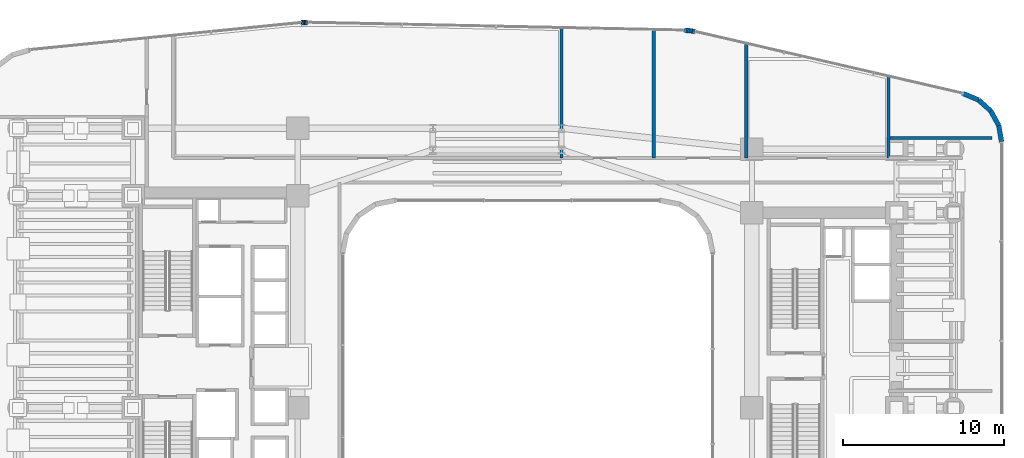
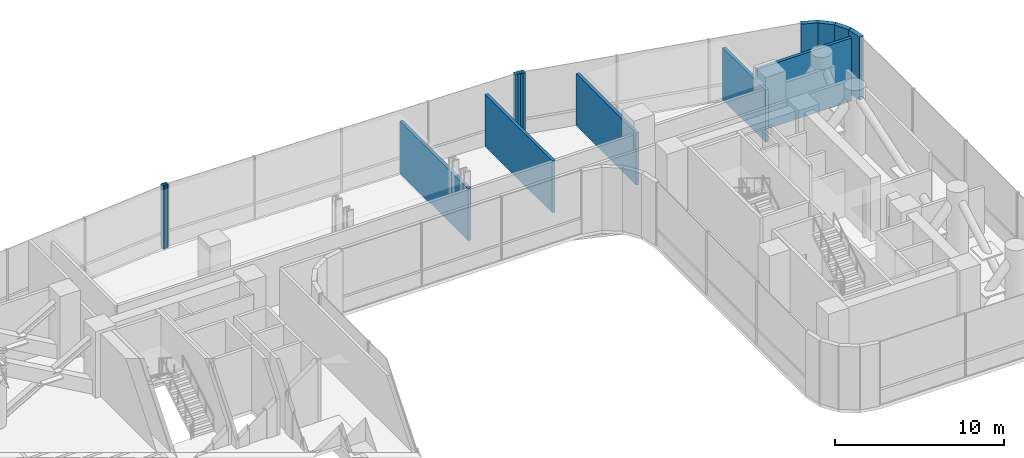
# One storey, part 35 of 39: 17 walls.
"""IFC4 building model written with IfcOpenShell, lengths in metres."""

from ifc_helpers import new_model, si_unit, direction, frame, frame_2d, origin, place, context, subcontext, project, spatial, rectangle, extrude, material, layer, layer_set, type_object, element, save


model = new_model("IFC4")

# Units and contexts
model_context = context("Model", 3, precision=1e-05, world=origin(), true_north=direction((0.0, 1.0)))
body_context = subcontext(model_context, "Body", "Model", "MODEL_VIEW")
ifc_project = project(units=[si_unit("LENGTHUNIT", "METRE"), si_unit("AREAUNIT", "SQUARE_METRE"), si_unit("VOLUMEUNIT", "CUBIC_METRE"), si_unit("PLANEANGLEUNIT", "RADIAN"), si_unit("MASSUNIT", "GRAM", prefix="KILO")], contexts=[model_context])

# Site, building, storey
site_placement = place(None, origin())
site = spatial("IfcSite", under=ifc_project, at=site_placement, CompositionType="ELEMENT")
building_placement = place(site_placement, origin())
building = spatial("IfcBuilding", under=site, at=building_placement, Name="Valdorenza Pilgrim Sanctuary Tower", CompositionType="ELEMENT")
storey_placement = place(building_placement, frame((0.0, 0.0, 96.300048828125)))
storey = spatial("IfcBuildingStorey", under=building, at=storey_placement, Name="L24", CompositionType="ELEMENT", Elevation=96.300048828125)

# Walls
ifc_material_1 = material(Name="Honed travertine limestone", Category="masonry")
ifc_layer_1 = layer(ifc_material_1, 0.300048828125, Name="Honed travertine limestone")
ifc_layer_set_1 = layer_set([ifc_layer_1], Name="Honed travertine limestone")
wall_type_1 = type_object("IfcWallType", Name="WAL-EXT-300", PredefinedType="SOLIDWALL", material=ifc_layer_set_1)
wall_1_placement = place(storey_placement, frame((-12.181884765625, 21.371337890625, 0.0), z_axis=(0.0, 0.0, 1.0), x_axis=(0.996527790842, 0.08326080759, 0.0)))
element("IfcWall", 1, at=wall_1_placement, inside=storey, type_object=wall_type_1, Name="L24 Rounded Wind-Corner Stone Pier 7", PredefinedType="SOLIDWALL", context=body_context, shape_type="SweptSolid", body=[
    extrude(rectangle(XDim=0.09375, YDim=0.300048828125, at=frame_2d((0.046875, 0.0))), origin(), (0.0, 0.0, 1.0), 4.56005859375),
])
wall_2_placement = place(storey_placement, frame((-12.08837890625, 21.379150390625, 0.0), z_axis=(0.0, 0.0, 1.0), x_axis=(0.998476480444, 0.055178963393, 0.0)))
element("IfcWall", 2, at=wall_2_placement, inside=storey, type_object=wall_type_1, Name="L24 Rounded Wind-Corner Stone Pier 8", PredefinedType="SOLIDWALL", context=body_context, shape_type="SweptSolid", body=[
    extrude(rectangle(XDim=0.093017578125, YDim=0.300048828125, at=frame_2d((0.04638671875, 0.0))), origin(), (0.0, 0.0, 1.0), 4.56005859375),
])
wall_3_placement = place(storey_placement, frame((-11.99560546875, 21.38427734375, 0.0), z_axis=(0.0, 0.0, 1.0), x_axis=(0.999722573757, 0.023553673204, 0.0)))
element("IfcWall", 3, at=wall_3_placement, inside=storey, type_object=wall_type_1, Name="L24 Rounded Wind-Corner Stone Pier 9", PredefinedType="SOLIDWALL", context=body_context, shape_type="SweptSolid", body=[
    extrude(rectangle(XDim=0.09326171875, YDim=0.300048828125, at=frame_2d((0.046630859375, 0.0))), origin(), (0.0, 0.0, 1.0), 4.56005859375),
])
wall_4_placement = place(storey_placement, frame((-11.90234375, 21.386474609375, 0.0), z_axis=(0.0, 0.0, 1.0), x_axis=(0.999986507273, -0.005194735103, 0.0)))
element("IfcWall", 4, at=wall_4_placement, inside=storey, type_object=wall_type_1, Name="L24 Rounded Wind-Corner Stone Pier 10", PredefinedType="SOLIDWALL", context=body_context, shape_type="SweptSolid", body=[
    extrude(rectangle(XDim=0.093994140625, YDim=0.300048828125, at=frame_2d((0.046875, 0.0))), origin(), (0.0, 0.0, 1.0), 4.56005859375),
])
wall_5_placement = place(storey_placement, frame((11.665771484375, 20.89697265625, 0.0), z_axis=(0.0, 0.0, 1.0), x_axis=(0.998885297239, -0.047203421059, 0.0)))
element("IfcWall", 5, at=wall_5_placement, inside=storey, type_object=wall_type_1, Name="L24 Rounded Wind-Corner Stone Pier 12", PredefinedType="SOLIDWALL", context=body_context, shape_type="SweptSolid", body=[
    extrude(rectangle(XDim=0.160400390625, YDim=0.300048828125, at=frame_2d((0.080078125, 0.0))), origin(), (0.0, 0.0, 1.0), 4.56005859375),
])
wall_6_placement = place(storey_placement, frame((11.825927734375, 20.889404296875, 0.0), z_axis=(0.0, 0.0, 1.0), x_axis=(0.995172891136, -0.098137234257, 0.0)))
element("IfcWall", 6, at=wall_6_placement, inside=storey, type_object=wall_type_1, Name="L24 Rounded Wind-Corner Stone Pier 13", PredefinedType="SOLIDWALL", context=body_context, shape_type="SweptSolid", body=[
    extrude(rectangle(XDim=0.1591796875, YDim=0.300048828125, at=frame_2d((0.07958984375, 0.0))), origin(), (0.0, 0.0, 1.0), 4.56005859375),
])
wall_7_placement = place(storey_placement, frame((11.984375, 20.873779296875, 0.0), z_axis=(0.0, 0.0, 1.0), x_axis=(0.988846069207, -0.148941100486, 0.0)))
element("IfcWall", 7, at=wall_7_placement, inside=storey, type_object=wall_type_1, Name="L24 Rounded Wind-Corner Stone Pier 14", PredefinedType="SOLIDWALL", context=body_context, shape_type="SweptSolid", body=[
    extrude(rectangle(XDim=0.158935546875, YDim=0.300048828125, at=frame_2d((0.07958984375, 0.0))), origin(), (0.0, 0.0, 1.0), 4.56005859375),
])
wall_8_placement = place(storey_placement, frame((12.1416015625, 20.85009765625, 0.0), z_axis=(0.0, 0.0, 1.0), x_axis=(0.979991950448, -0.19903712482, 0.0)))
element("IfcWall", 8, at=wall_8_placement, inside=storey, type_object=wall_type_1, Name="L24 Rounded Wind-Corner Stone Pier 15", PredefinedType="SOLIDWALL", context=body_context, shape_type="SweptSolid", body=[
    extrude(rectangle(XDim=0.16064453125, YDim=0.300048828125, at=frame_2d((0.080322265625, 0.0))), origin(), (0.0, 0.0, 1.0), 4.56005859375),
])
wall_9_placement = place(storey_placement, frame((28.98583984375, 16.96728515625, 0.0), z_axis=(0.0, 0.0, 1.0), x_axis=(0.923083852684, -0.384598753136, 0.0)))
element("IfcWall", 9, at=wall_9_placement, inside=storey, type_object=wall_type_1, Name="L24 Rounded Wind-Corner Stone Pier 17", PredefinedType="SOLIDWALL", context=body_context, shape_type="SweptSolid", body=[
    extrude(rectangle(XDim=1.042236328125, YDim=0.300048828125, at=frame_2d((0.52099609375, 0.0))), origin(), (0.0, 0.0, 1.0), 4.56005859375),
])
wall_10_placement = place(storey_placement, frame((29.947998046875, 16.56640625, 0.0), z_axis=(0.0, 0.0, 1.0), x_axis=(0.744585645533, -0.66752694063, 0.0)))
element("IfcWall", 10, at=wall_10_placement, inside=storey, type_object=wall_type_1, Name="L24 Rounded Wind-Corner Stone Pier 18", PredefinedType="SOLIDWALL", context=body_context, shape_type="SweptSolid", body=[
    extrude(rectangle(XDim=1.032958984375, YDim=0.300048828125, at=frame_2d((0.5166015625, 0.0))), origin(), (0.0, 0.0, 1.0), 4.56005859375),
])
wall_11_placement = place(storey_placement, frame((30.717041015625, 15.876953125, 0.0), z_axis=(0.0, 0.0, 1.0), x_axis=(0.482971098131, -0.875636293429, 0.0)))
element("IfcWall", 11, at=wall_11_placement, inside=storey, type_object=wall_type_1, Name="L24 Rounded Wind-Corner Stone Pier 19", PredefinedType="SOLIDWALL", context=body_context, shape_type="SweptSolid", body=[
    extrude(rectangle(XDim=1.03271484375, YDim=0.300048828125, at=frame_2d((0.516357421875, 0.0))), origin(), (0.0, 0.0, 1.0), 4.56005859375),
])
wall_12_placement = place(storey_placement, frame((31.2158203125, 14.97265625, 0.0), z_axis=(0.0, 0.0, 1.0), x_axis=(0.167019462117, -0.985953598946, 0.0)))
element("IfcWall", 12, at=wall_12_placement, inside=storey, type_object=wall_type_1, Name="L24 Rounded Wind-Corner Stone Pier 20", PredefinedType="SOLIDWALL", context=body_context, shape_type="SweptSolid", body=[
    extrude(rectangle(XDim=1.042236328125, YDim=0.300048828125, at=frame_2d((0.52099609375, 0.0))), origin(), (0.0, 0.0, 1.0), 4.56005859375),
])
ifc_material_2 = material(Name="Gypsum shaftwall partition", Category="gypsum")
ifc_layer_2 = layer(ifc_material_2, 0.199951171875, Name="Gypsum shaftwall partition")
ifc_layer_set_2 = layer_set([ifc_layer_2], Name="Gypsum shaftwall partition")
wall_type_2 = type_object("IfcWallType", Name="WAL-FFL-200", PredefinedType="PARTITIONING", material=ifc_layer_set_2)
wall_13_placement = place(storey_placement, frame((4.0, 12.949951171875, 0.0), z_axis=(0.0, 0.0, 1.0), x_axis=(0.0, 1.0, 0.0)))
element("IfcWall", 13, at=wall_13_placement, inside=storey, type_object=wall_type_2, Name="L24 Primary Refuge East Wall", PredefinedType="PARTITIONING", context=body_context, shape_type="SweptSolid", body=[
    extrude(rectangle(XDim=8.106689453125, YDim=0.199951171875, at=frame_2d((4.05322265625, 0.0))), origin(), (0.0, 0.0, 1.0), 3.765869140625),
])
wall_14_placement = place(storey_placement, frame((9.75, 12.949951171875, 0.0), z_axis=(0.0, 0.0, 1.0), x_axis=(0.0, 1.0, 0.0)))
element("IfcWall", 14, at=wall_14_placement, inside=storey, type_object=wall_type_2, Name="L24 L24 Knuckle Plant Split", PredefinedType="PARTITIONING", context=body_context, shape_type="SweptSolid", body=[
    extrude(rectangle(XDim=7.987060546875, YDim=0.199951171875, at=frame_2d((3.99365234375, 0.0))), origin(), (0.0, 0.0, 1.0), 3.765869140625),
])
wall_15_placement = place(storey_placement, frame((15.5, 12.949951171875, 0.0), z_axis=(0.0, 0.0, 1.0), x_axis=(0.0, 1.0, 0.0)))
element("IfcWall", 15, at=wall_15_placement, inside=storey, type_object=wall_type_2, Name="L24 East Refuge West Wall", PredefinedType="PARTITIONING", context=body_context, shape_type="SweptSolid", body=[
    extrude(rectangle(XDim=7.12939453125, YDim=0.199951171875, at=frame_2d((3.564697265625, 0.0))), origin(), (0.0, 0.0, 1.0), 3.765869140625),
])
wall_16_placement = place(storey_placement, frame((24.35009765625, 12.949951171875, 0.0), z_axis=(0.0, 0.0, 1.0), x_axis=(0.0, 1.0, 0.0)))
element("IfcWall", 16, at=wall_16_placement, inside=storey, type_object=wall_type_2, Name="L24 East Refuge East Wall", PredefinedType="PARTITIONING", context=body_context, shape_type="SweptSolid", body=[
    extrude(rectangle(XDim=5.087158203125, YDim=0.199951171875, at=frame_2d((2.54345703125, 0.0))), origin(), (0.0, 0.0, 1.0), 3.765869140625),
])
wall_17_placement = place(storey_placement, frame((24.35009765625, 14.199951171875, 0.0), z_axis=(0.0, 0.0, 1.0), x_axis=(1.0, 0.0, 0.0)))
element("IfcWall", 17, at=wall_17_placement, inside=storey, type_object=wall_type_2, Name="L24 L24 East Belt North Wall", PredefinedType="PARTITIONING", context=body_context, shape_type="SweptSolid", body=[
    extrude(rectangle(XDim=6.449951171875, YDim=0.199951171875, at=frame_2d((3.22509765625, 0.0))), origin(), (0.0, 0.0, 1.0), 4.56005859375),
])

save(model, "model.ifc")
